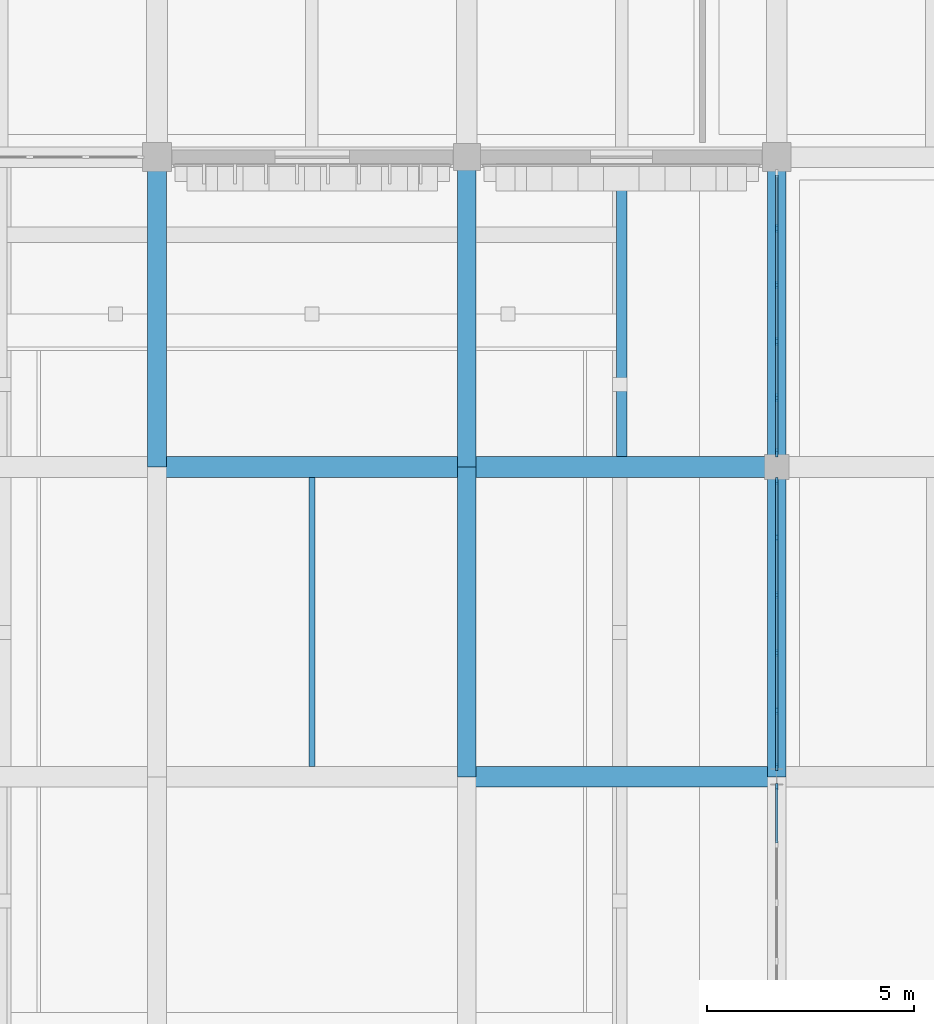
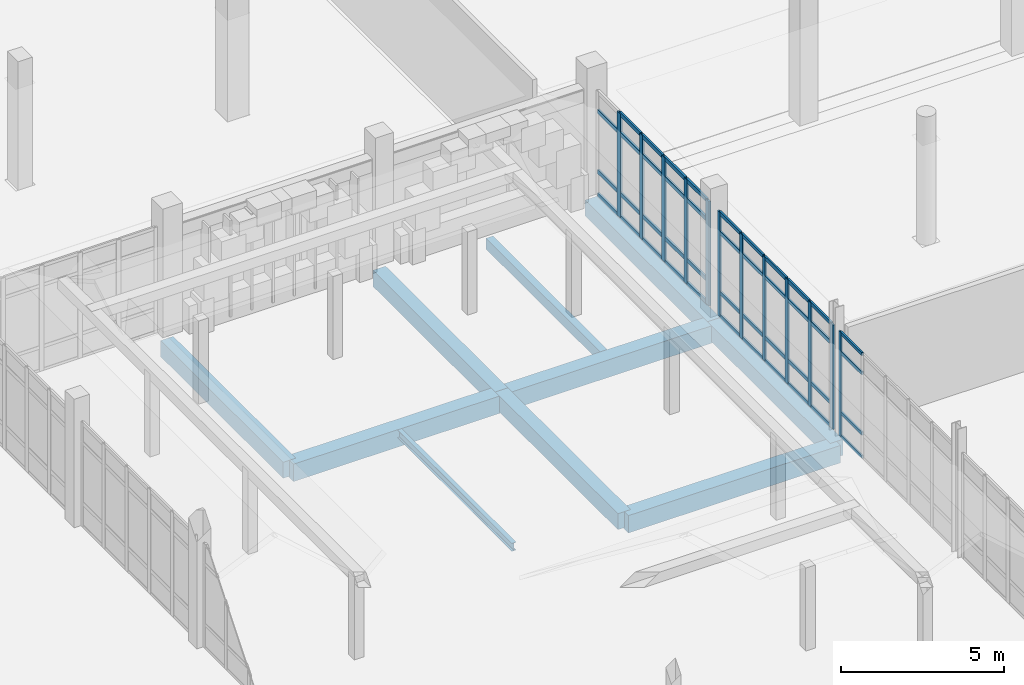
# One storey, part 42 of 125: 55 members, 10 beams, 3 elements without a shape of their own.
"""IFC4 building model written with IfcOpenShell, lengths in metres."""

from ifc_helpers import new_model, si_unit, direction, frame, origin, origin_2d, place, context, subcontext, project, spatial, rectangle, i_section, extrude, material, layer, layer_set, material_profile, profile_set, type_object, element, aggregate, save


model = new_model("IFC4")

# Units and contexts
model_context = context("Model", 3, precision=1e-05, world=origin(), true_north=direction((0.0, 1.0)))
body_context = subcontext(model_context, "Body", "Model", "MODEL_VIEW")
ifc_project = project(units=[si_unit("LENGTHUNIT", "METRE"), si_unit("AREAUNIT", "SQUARE_METRE"), si_unit("VOLUMEUNIT", "CUBIC_METRE"), si_unit("PLANEANGLEUNIT", "RADIAN"), si_unit("MASSUNIT", "GRAM", prefix="KILO")], contexts=[model_context])

# Site, building, storey
site_placement = place(None, origin())
site = spatial("IfcSite", under=ifc_project, at=site_placement, CompositionType="ELEMENT")
building_placement = place(site_placement, origin())
building = spatial("IfcBuilding", under=site, at=building_placement, Name="Dalvernix Boulevard General Hospital", CompositionType="ELEMENT")
storey_placement = place(building_placement, origin())
storey = spatial("IfcBuildingStorey", under=building, at=storey_placement, Name="L00", CompositionType="ELEMENT", Elevation=0.0)

# Beams
ifc_material_1 = material(Name="Concrete C35/45", Category="concrete")
ifc_material_profile_1 = material_profile(ifc_material_1, rectangle(XDim=0.5, YDim=0.64990234375, at=origin_2d()), Name="RCB 500x650")
ifc_profile_set_1 = profile_set([ifc_material_profile_1], Name="Concrete C35/45")
beam_type_1 = type_object("IfcBeamType", Name="BM-B-02-I", PredefinedType="BEAM", material=ifc_profile_set_1)
for number, where, z_axis, x_axis, name in (
    (1, (52.5, 61.5, -0.68505859375), (1.0, 0.0, 0.0), (0.0, 1.0, 0.0), "L00 E-W girder J:8-9"),
    (2, (45.0, 69.0, -0.68505859375), (1.0, 0.0, 0.0), (0.0, 1.0, 0.0), "L00 E-W girder K:7-8"),
    (3, (52.5, 69.0, -0.68505859375), (1.0, 0.0, 0.0), (0.0, 1.0, 0.0), "L00 E-W girder K:8-9"),
):
    element("IfcBeam", number, at=place(storey_placement, frame(where, z_axis=z_axis, x_axis=x_axis)), inside=storey, type_object=beam_type_1, Name=name, PredefinedType="BEAM", context=body_context, shape_type="SweptSolid", body=[
        extrude(rectangle(XDim=0.5, YDim=0.64990234375, at=origin_2d()), origin(), (0.0, 0.0, 1.0), 7.5),
    ])
ifc_material_profile_2 = material_profile(ifc_material_1, rectangle(XDim=0.449951171875, YDim=0.60009765625, at=origin_2d()), Name="RCB 450x600")
ifc_profile_set_2 = profile_set([ifc_material_profile_2], Name="Concrete C35/45")
beam_type_2 = type_object("IfcBeamType", Name="BM-B-04-I", PredefinedType="BEAM", material=ifc_profile_set_2)
for number, where, z_axis, x_axis, name in (
    (4, (45.0, 69.0, -0.659912109375), (0.0, 1.0, 0.0), (-1.0, 0.0, 0.0), "L00 N-S girder 7:K-L"),
    (5, (52.5, 61.5, -0.659912109375), (0.0, 1.0, 0.0), (-1.0, 0.0, 0.0), "L00 N-S girder 8:J-K"),
    (6, (52.5, 69.0, -0.659912109375), (0.0, 1.0, 0.0), (-1.0, 0.0, 0.0), "L00 N-S girder 8:K-L"),
    (7, (60.0, 61.5, -0.659912109375), (0.0, 1.0, 0.0), (-1.0, 0.0, 0.0), "L00 N-S girder 9:J-K"),
    (8, (60.0, 69.0, -0.659912109375), (0.0, 1.0, 0.0), (-1.0, 0.0, 0.0), "L00 N-S girder 9:K-L"),
):
    element("IfcBeam", number, at=place(storey_placement, frame(where, z_axis=z_axis, x_axis=x_axis)), inside=storey, type_object=beam_type_2, Name=name, PredefinedType="BEAM", context=body_context, shape_type="SweptSolid", body=[
        extrude(rectangle(XDim=0.449951171875, YDim=0.60009765625, at=origin_2d()), origin(), (0.0, 0.0, 1.0), 7.5),
    ])
ifc_material_profile_3 = material_profile(ifc_material_1, rectangle(XDim=0.25, YDim=0.39990234375, at=origin_2d()), Name="RCB 250x400")
ifc_profile_set_3 = profile_set([ifc_material_profile_3], Name="Concrete C35/45")
beam_type_3 = type_object("IfcBeamType", Name="BM-JB-02", PredefinedType="JOIST", material=ifc_profile_set_3)
beam_1_placement = place(storey_placement, frame((56.25, 69.25, -0.56005859375), z_axis=(0.0, 1.0, 0.0), x_axis=(-1.0, 0.0, 0.0)))
element("IfcBeam", 9, at=beam_1_placement, inside=storey, type_object=beam_type_3, Name="L00 secondary floor beam 8-K", PredefinedType="JOIST", context=body_context, shape_type="SweptSolid", body=[
    extrude(rectangle(XDim=0.25, YDim=0.39990234375, at=origin_2d()), origin(), (0.0, 0.0, 1.0), 7.0),
])
ifc_material_2 = material(Name="Steel S355", Category="steel")
ifc_material_profile_4 = material_profile(ifc_material_2, i_section(OverallWidth=0.14990234375, OverallDepth=0.300048828125, WebThickness=0.007080078125, FlangeThickness=0.0107421875, FilletRadius=0.014892578125, at=origin_2d()), Name="IPE 300")
ifc_profile_set_4 = profile_set([ifc_material_profile_4], Name="Steel S355")
beam_type_4 = type_object("IfcBeamType", Name="BM-JB-03", PredefinedType="JOIST", material=ifc_profile_set_4)
beam_2_placement = place(storey_placement, frame((48.75, 61.75, -0.510009765625), z_axis=(0.0, 1.0, 0.0), x_axis=(-1.0, 0.0, 0.0)))
element("IfcBeam", 10, at=beam_2_placement, inside=storey, type_object=beam_type_4, Name="L00 secondary floor beam 7-J", PredefinedType="JOIST", context=body_context, shape_type="SweptSolid", body=[
    extrude(i_section(OverallWidth=0.14990234375, OverallDepth=0.300048828125, WebThickness=0.007080078125, FlangeThickness=0.0107421875, FilletRadius=0.014892578125, at=origin_2d()), origin(), (0.0, 0.0, 1.0), 7.0),
])

# Curtain wall, member
ifc_material_3 = material(Name="Thermally broken aluminium and solar-control glass curtain wall", Category="aluminium")
ifc_layer_1 = layer(ifc_material_3, 0.159912109375)
ifc_layer_set_1 = layer_set([ifc_layer_1], Name="Thermally broken aluminium and solar-control glass curtain wall (CW-CW-A-71x39)")
curtain_wall_type_1 = type_object("IfcCurtainWallType", Name="CW-CW-A-71x39", PredefinedType="USERDEFINED", material=ifc_layer_set_1)
curtain_wall_1_placement = place(storey_placement, origin())
curtain_wall_1 = element("IfcCurtainWall", 11, at=curtain_wall_1_placement, inside=storey, type_object=curtain_wall_type_1, Name="L00 curtain wall CW-A-71x39 8-7", ObjectType="GLAZED FACADE", PredefinedType="USERDEFINED")
ifc_material_4 = material(Name="Aluminium EN AW-6060", Category="aluminium")
ifc_material_profile_5 = material_profile(ifc_material_4, rectangle(XDim=0.06005859375, YDim=0.159912109375, at=origin_2d()), Name="ALU MULL 60x160")
ifc_profile_set_5 = profile_set([ifc_material_profile_5], Name="Aluminium EN AW-6060")
member_type_1 = type_object("IfcMemberType", Name="MEM-CW-M1", PredefinedType="MULLION", material=ifc_profile_set_5)
member_1_placement = place(storey_placement, frame((60.0, 61.260009765625, 0.0), z_axis=(0.0, 0.0, 1.0), x_axis=(-1.0, 0.0, 0.0)))
member_1 = element("IfcMember", 12, at=member_1_placement, type_object=member_type_1, Name="CW-A-71x39 mullion 6", PredefinedType="MULLION", context=body_context, shape_type="SweptSolid", body=[
    extrude(rectangle(XDim=0.06005859375, YDim=0.159912109375, at=origin_2d()), origin(), (0.0, 0.0, 1.0), 3.89990234375),
])

# Curtain wall, members
ifc_layer_2 = layer(ifc_material_3, 0.179931640625)
ifc_layer_set_2 = layer_set([ifc_layer_2], Name="Thermally broken aluminium and solar-control glass curtain wall (CW-CW-B-70x39)")
curtain_wall_type_2 = type_object("IfcCurtainWallType", Name="CW-CW-B-70x39", PredefinedType="USERDEFINED", material=ifc_layer_set_2)
curtain_wall_2_placement = place(storey_placement, origin())
curtain_wall_2 = element("IfcCurtainWall", 13, at=curtain_wall_2_placement, inside=storey, type_object=curtain_wall_type_2, Name="L00 curtain wall CW-B-70x39 8-8", ObjectType="GLAZED FACADE", PredefinedType="USERDEFINED")
ifc_material_profile_6 = material_profile(ifc_material_4, rectangle(XDim=0.06494140625, YDim=0.179931640625, at=origin_2d()), Name="ALU MULL 65x180")
ifc_profile_set_6 = profile_set([ifc_material_profile_6], Name="Aluminium EN AW-6060")
member_type_2 = type_object("IfcMemberType", Name="MEM-CW-M2", PredefinedType="MULLION", material=ifc_profile_set_6)
member_2_placement = place(storey_placement, frame((60.0, 61.742431640625, 0.0), z_axis=(0.0, 0.0, 1.0), x_axis=(-1.0, 0.0, 0.0)))
member_2 = element("IfcMember", 14, at=member_2_placement, type_object=member_type_2, Name="CW-B-70x39 mullion 1", PredefinedType="MULLION", context=body_context, shape_type="SweptSolid", body=[
    extrude(rectangle(XDim=0.06494140625, YDim=0.179931640625, at=origin_2d()), origin(), (0.0, 0.0, 1.0), 3.89990234375),
])
member_3_placement = place(storey_placement, frame((60.0, 63.10595703125, 0.0), z_axis=(0.0, 0.0, 1.0), x_axis=(-1.0, 0.0, 0.0)))
member_3 = element("IfcMember", 15, at=member_3_placement, type_object=member_type_2, Name="CW-B-70x39 mullion 2", PredefinedType="MULLION", context=body_context, shape_type="SweptSolid", body=[
    extrude(rectangle(XDim=0.06494140625, YDim=0.179931640625, at=origin_2d()), origin(), (0.0, 0.0, 1.0), 3.89990234375),
])
member_4_placement = place(storey_placement, frame((60.0, 64.501953125, 0.0), z_axis=(0.0, 0.0, 1.0), x_axis=(-1.0, 0.0, 0.0)))
member_4 = element("IfcMember", 16, at=member_4_placement, type_object=member_type_2, Name="CW-B-70x39 mullion 3", PredefinedType="MULLION", context=body_context, shape_type="SweptSolid", body=[
    extrude(rectangle(XDim=0.06494140625, YDim=0.179931640625, at=origin_2d()), origin(), (0.0, 0.0, 1.0), 3.89990234375),
])
member_5_placement = place(storey_placement, frame((60.0, 65.89794921875, 0.0), z_axis=(0.0, 0.0, 1.0), x_axis=(-1.0, 0.0, 0.0)))
member_5 = element("IfcMember", 17, at=member_5_placement, type_object=member_type_2, Name="CW-B-70x39 mullion 4", PredefinedType="MULLION", context=body_context, shape_type="SweptSolid", body=[
    extrude(rectangle(XDim=0.06494140625, YDim=0.179931640625, at=origin_2d()), origin(), (0.0, 0.0, 1.0), 3.89990234375),
])
member_6_placement = place(storey_placement, frame((60.0, 67.2939453125, 0.0), z_axis=(0.0, 0.0, 1.0), x_axis=(-1.0, 0.0, 0.0)))
member_6 = element("IfcMember", 18, at=member_6_placement, type_object=member_type_2, Name="CW-B-70x39 mullion 5", PredefinedType="MULLION", context=body_context, shape_type="SweptSolid", body=[
    extrude(rectangle(XDim=0.06494140625, YDim=0.179931640625, at=origin_2d()), origin(), (0.0, 0.0, 1.0), 3.89990234375),
])
member_7_placement = place(storey_placement, frame((60.0, 68.657470703125, 0.0), z_axis=(0.0, 0.0, 1.0), x_axis=(-1.0, 0.0, 0.0)))
member_7 = element("IfcMember", 19, at=member_7_placement, type_object=member_type_2, Name="CW-B-70x39 mullion 6", PredefinedType="MULLION", context=body_context, shape_type="SweptSolid", body=[
    extrude(rectangle(XDim=0.06494140625, YDim=0.179931640625, at=origin_2d()), origin(), (0.0, 0.0, 1.0), 3.89990234375),
])

ifc_layer_3 = layer(ifc_material_3, 0.199951171875)
ifc_layer_set_3 = layer_set([ifc_layer_3], Name="Thermally broken aluminium and solar-control glass curtain wall (CW-CW-C-68x39)")
curtain_wall_type_3 = type_object("IfcCurtainWallType", Name="CW-CW-C-68x39", PredefinedType="USERDEFINED", material=ifc_layer_set_3)
curtain_wall_3_placement = place(storey_placement, origin())
curtain_wall_3 = element("IfcCurtainWall", 20, at=curtain_wall_3_placement, inside=storey, type_object=curtain_wall_type_3, Name="L00 curtain wall CW-C-68x39 8-9", ObjectType="GLAZED FACADE", PredefinedType="USERDEFINED")
ifc_material_profile_7 = material_profile(ifc_material_4, rectangle(XDim=0.070068359375, YDim=0.199951171875, at=origin_2d()), Name="ALU MULL 70x200")
ifc_profile_set_7 = profile_set([ifc_material_profile_7], Name="Aluminium EN AW-6060")
member_type_3 = type_object("IfcMemberType", Name="MEM-CW-M3", PredefinedType="MULLION", material=ifc_profile_set_7)
member_8_placement = place(storey_placement, frame((60.0, 69.344970703125, 0.0), z_axis=(0.0, 0.0, 1.0), x_axis=(-1.0, 0.0, 0.0)))
member_8 = element("IfcMember", 21, at=member_8_placement, type_object=member_type_3, Name="CW-C-68x39 mullion 1", PredefinedType="MULLION", context=body_context, shape_type="SweptSolid", body=[
    extrude(rectangle(XDim=0.070068359375, YDim=0.199951171875, at=origin_2d()), origin(), (0.0, 0.0, 1.0), 3.89990234375),
])
member_9_placement = place(storey_placement, frame((60.0, 70.676025390625, 0.0), z_axis=(0.0, 0.0, 1.0), x_axis=(-1.0, 0.0, 0.0)))
member_9 = element("IfcMember", 22, at=member_9_placement, type_object=member_type_3, Name="CW-C-68x39 mullion 2", PredefinedType="MULLION", context=body_context, shape_type="SweptSolid", body=[
    extrude(rectangle(XDim=0.070068359375, YDim=0.199951171875, at=origin_2d()), origin(), (0.0, 0.0, 1.0), 3.89990234375),
])
member_10_placement = place(storey_placement, frame((60.0, 72.0419921875, 0.0), z_axis=(0.0, 0.0, 1.0), x_axis=(-1.0, 0.0, 0.0)))
member_10 = element("IfcMember", 23, at=member_10_placement, type_object=member_type_3, Name="CW-C-68x39 mullion 3", PredefinedType="MULLION", context=body_context, shape_type="SweptSolid", body=[
    extrude(rectangle(XDim=0.070068359375, YDim=0.199951171875, at=origin_2d()), origin(), (0.0, 0.0, 1.0), 3.89990234375),
])
member_11_placement = place(storey_placement, frame((60.0, 73.407958984375, 0.0), z_axis=(0.0, 0.0, 1.0), x_axis=(-1.0, 0.0, 0.0)))
member_11 = element("IfcMember", 24, at=member_11_placement, type_object=member_type_3, Name="CW-C-68x39 mullion 4", PredefinedType="MULLION", context=body_context, shape_type="SweptSolid", body=[
    extrude(rectangle(XDim=0.070068359375, YDim=0.199951171875, at=origin_2d()), origin(), (0.0, 0.0, 1.0), 3.89990234375),
])
member_12_placement = place(storey_placement, frame((60.0, 74.77392578125, 0.0), z_axis=(0.0, 0.0, 1.0), x_axis=(-1.0, 0.0, 0.0)))
member_12 = element("IfcMember", 25, at=member_12_placement, type_object=member_type_3, Name="CW-C-68x39 mullion 5", PredefinedType="MULLION", context=body_context, shape_type="SweptSolid", body=[
    extrude(rectangle(XDim=0.070068359375, YDim=0.199951171875, at=origin_2d()), origin(), (0.0, 0.0, 1.0), 3.89990234375),
])

# Member
ifc_material_profile_8 = material_profile(ifc_material_4, rectangle(XDim=0.06005859375, YDim=0.1201171875, at=origin_2d()), Name="ALU TRAN 60x120")
ifc_profile_set_8 = profile_set([ifc_material_profile_8], Name="Aluminium EN AW-6060")
member_type_4 = type_object("IfcMemberType", Name="MEM-CW-T1", PredefinedType="USERDEFINED", material=ifc_profile_set_8)
member_13_placement = place(storey_placement, frame((60.0, 59.904052734375, 0.030029296875), z_axis=(0.0, 1.0, 0.0), x_axis=(-1.0, 0.0, 0.0)))
member_13 = element("IfcMember", 26, at=member_13_placement, type_object=member_type_4, Name="CW-A-71x39 transom 5.1", ObjectType="TRANSOM", PredefinedType="USERDEFINED", context=body_context, shape_type="SweptSolid", body=[
    extrude(rectangle(XDim=0.06005859375, YDim=0.1201171875, at=origin_2d()), origin(), (0.0, 0.0, 1.0), 1.325927734375),
])

member_14_placement = place(storey_placement, frame((60.0, 59.904052734375, 0.89990234375), z_axis=(0.0, 1.0, 0.0), x_axis=(-1.0, 0.0, 0.0)))
member_14 = element("IfcMember", 27, at=member_14_placement, type_object=member_type_4, Name="CW-A-71x39 transom 5.2", ObjectType="TRANSOM", PredefinedType="USERDEFINED", context=body_context, shape_type="SweptSolid", body=[
    extrude(rectangle(XDim=0.06005859375, YDim=0.1201171875, at=origin_2d()), origin(), (0.0, 0.0, 1.0), 1.325927734375),
])

member_15_placement = place(storey_placement, frame((60.0, 59.904052734375, 3.14990234375), z_axis=(0.0, 1.0, 0.0), x_axis=(-1.0, 0.0, 0.0)))
member_15 = element("IfcMember", 28, at=member_15_placement, type_object=member_type_4, Name="CW-A-71x39 transom 5.3", ObjectType="TRANSOM", PredefinedType="USERDEFINED", context=body_context, shape_type="SweptSolid", body=[
    extrude(rectangle(XDim=0.06005859375, YDim=0.1201171875, at=origin_2d()), origin(), (0.0, 0.0, 1.0), 1.325927734375),
])

member_16_placement = place(storey_placement, frame((60.0, 59.904052734375, 3.8701171875), z_axis=(0.0, 1.0, 0.0), x_axis=(-1.0, 0.0, 0.0)))
member_16 = element("IfcMember", 29, at=member_16_placement, type_object=member_type_4, Name="CW-A-71x39 transom 5.4", ObjectType="TRANSOM", PredefinedType="USERDEFINED", context=body_context, shape_type="SweptSolid", body=[
    extrude(rectangle(XDim=0.06005859375, YDim=0.1201171875, at=origin_2d()), origin(), (0.0, 0.0, 1.0), 1.325927734375),
])

aggregate(curtain_wall_1, [member_1, member_13, member_14, member_15, member_16])

ifc_material_profile_9 = material_profile(ifc_material_4, rectangle(XDim=0.06494140625, YDim=0.139892578125, at=origin_2d()), Name="ALU TRAN 65x140")
ifc_profile_set_9 = profile_set([ifc_material_profile_9], Name="Aluminium EN AW-6060")
member_type_5 = type_object("IfcMemberType", Name="MEM-CW-T2", PredefinedType="USERDEFINED", material=ifc_profile_set_9)
member_17_placement = place(storey_placement, frame((60.0, 61.77490234375, 0.032470703125), z_axis=(0.0, 1.0, 0.0), x_axis=(-1.0, 0.0, 0.0)))
member_17 = element("IfcMember", 30, at=member_17_placement, type_object=member_type_5, Name="CW-B-70x39 transom 1.1", ObjectType="TRANSOM", PredefinedType="USERDEFINED", context=body_context, shape_type="SweptSolid", body=[
    extrude(rectangle(XDim=0.06494140625, YDim=0.139892578125, at=origin_2d()), origin(), (0.0, 0.0, 1.0), 1.298583984375),
])

member_18_placement = place(storey_placement, frame((60.0, 61.77490234375, 0.89990234375), z_axis=(0.0, 1.0, 0.0), x_axis=(-1.0, 0.0, 0.0)))
member_18 = element("IfcMember", 31, at=member_18_placement, type_object=member_type_5, Name="CW-B-70x39 transom 1.2", ObjectType="TRANSOM", PredefinedType="USERDEFINED", context=body_context, shape_type="SweptSolid", body=[
    extrude(rectangle(XDim=0.06494140625, YDim=0.139892578125, at=origin_2d()), origin(), (0.0, 0.0, 1.0), 1.298583984375),
])

member_19_placement = place(storey_placement, frame((60.0, 61.77490234375, 3.14990234375), z_axis=(0.0, 1.0, 0.0), x_axis=(-1.0, 0.0, 0.0)))
member_19 = element("IfcMember", 32, at=member_19_placement, type_object=member_type_5, Name="CW-B-70x39 transom 1.3", ObjectType="TRANSOM", PredefinedType="USERDEFINED", context=body_context, shape_type="SweptSolid", body=[
    extrude(rectangle(XDim=0.06494140625, YDim=0.139892578125, at=origin_2d()), origin(), (0.0, 0.0, 1.0), 1.298583984375),
])

member_20_placement = place(storey_placement, frame((60.0, 61.77490234375, 3.867431640625), z_axis=(0.0, 1.0, 0.0), x_axis=(-1.0, 0.0, 0.0)))
member_20 = element("IfcMember", 33, at=member_20_placement, type_object=member_type_5, Name="CW-B-70x39 transom 1.4", ObjectType="TRANSOM", PredefinedType="USERDEFINED", context=body_context, shape_type="SweptSolid", body=[
    extrude(rectangle(XDim=0.06494140625, YDim=0.139892578125, at=origin_2d()), origin(), (0.0, 0.0, 1.0), 1.298583984375),
])

member_21_placement = place(storey_placement, frame((60.0, 63.138427734375, 0.032470703125), z_axis=(0.0, 1.0, 0.0), x_axis=(-1.0, 0.0, 0.0)))
member_21 = element("IfcMember", 34, at=member_21_placement, type_object=member_type_5, Name="CW-B-70x39 transom 2.1", ObjectType="TRANSOM", PredefinedType="USERDEFINED", context=body_context, shape_type="SweptSolid", body=[
    extrude(rectangle(XDim=0.06494140625, YDim=0.139892578125, at=origin_2d()), origin(), (0.0, 0.0, 1.0), 1.3310546875),
])

member_22_placement = place(storey_placement, frame((60.0, 63.138427734375, 0.89990234375), z_axis=(0.0, 1.0, 0.0), x_axis=(-1.0, 0.0, 0.0)))
member_22 = element("IfcMember", 35, at=member_22_placement, type_object=member_type_5, Name="CW-B-70x39 transom 2.2", ObjectType="TRANSOM", PredefinedType="USERDEFINED", context=body_context, shape_type="SweptSolid", body=[
    extrude(rectangle(XDim=0.06494140625, YDim=0.139892578125, at=origin_2d()), origin(), (0.0, 0.0, 1.0), 1.3310546875),
])

member_23_placement = place(storey_placement, frame((60.0, 63.138427734375, 3.14990234375), z_axis=(0.0, 1.0, 0.0), x_axis=(-1.0, 0.0, 0.0)))
member_23 = element("IfcMember", 36, at=member_23_placement, type_object=member_type_5, Name="CW-B-70x39 transom 2.3", ObjectType="TRANSOM", PredefinedType="USERDEFINED", context=body_context, shape_type="SweptSolid", body=[
    extrude(rectangle(XDim=0.06494140625, YDim=0.139892578125, at=origin_2d()), origin(), (0.0, 0.0, 1.0), 1.3310546875),
])

member_24_placement = place(storey_placement, frame((60.0, 63.138427734375, 3.867431640625), z_axis=(0.0, 1.0, 0.0), x_axis=(-1.0, 0.0, 0.0)))
member_24 = element("IfcMember", 37, at=member_24_placement, type_object=member_type_5, Name="CW-B-70x39 transom 2.4", ObjectType="TRANSOM", PredefinedType="USERDEFINED", context=body_context, shape_type="SweptSolid", body=[
    extrude(rectangle(XDim=0.06494140625, YDim=0.139892578125, at=origin_2d()), origin(), (0.0, 0.0, 1.0), 1.3310546875),
])

member_25_placement = place(storey_placement, frame((60.0, 64.534423828125, 0.032470703125), z_axis=(0.0, 1.0, 0.0), x_axis=(-1.0, 0.0, 0.0)))
member_25 = element("IfcMember", 38, at=member_25_placement, type_object=member_type_5, Name="CW-B-70x39 transom 3.1", ObjectType="TRANSOM", PredefinedType="USERDEFINED", context=body_context, shape_type="SweptSolid", body=[
    extrude(rectangle(XDim=0.06494140625, YDim=0.139892578125, at=origin_2d()), origin(), (0.0, 0.0, 1.0), 1.3310546875),
])

member_26_placement = place(storey_placement, frame((60.0, 64.534423828125, 0.89990234375), z_axis=(0.0, 1.0, 0.0), x_axis=(-1.0, 0.0, 0.0)))
member_26 = element("IfcMember", 39, at=member_26_placement, type_object=member_type_5, Name="CW-B-70x39 transom 3.2", ObjectType="TRANSOM", PredefinedType="USERDEFINED", context=body_context, shape_type="SweptSolid", body=[
    extrude(rectangle(XDim=0.06494140625, YDim=0.139892578125, at=origin_2d()), origin(), (0.0, 0.0, 1.0), 1.3310546875),
])

member_27_placement = place(storey_placement, frame((60.0, 64.534423828125, 3.14990234375), z_axis=(0.0, 1.0, 0.0), x_axis=(-1.0, 0.0, 0.0)))
member_27 = element("IfcMember", 40, at=member_27_placement, type_object=member_type_5, Name="CW-B-70x39 transom 3.3", ObjectType="TRANSOM", PredefinedType="USERDEFINED", context=body_context, shape_type="SweptSolid", body=[
    extrude(rectangle(XDim=0.06494140625, YDim=0.139892578125, at=origin_2d()), origin(), (0.0, 0.0, 1.0), 1.3310546875),
])

member_28_placement = place(storey_placement, frame((60.0, 64.534423828125, 3.867431640625), z_axis=(0.0, 1.0, 0.0), x_axis=(-1.0, 0.0, 0.0)))
member_28 = element("IfcMember", 41, at=member_28_placement, type_object=member_type_5, Name="CW-B-70x39 transom 3.4", ObjectType="TRANSOM", PredefinedType="USERDEFINED", context=body_context, shape_type="SweptSolid", body=[
    extrude(rectangle(XDim=0.06494140625, YDim=0.139892578125, at=origin_2d()), origin(), (0.0, 0.0, 1.0), 1.3310546875),
])

member_29_placement = place(storey_placement, frame((60.0, 65.930419921875, 0.032470703125), z_axis=(0.0, 1.0, 0.0), x_axis=(-1.0, 0.0, 0.0)))
member_29 = element("IfcMember", 42, at=member_29_placement, type_object=member_type_5, Name="CW-B-70x39 transom 4.1", ObjectType="TRANSOM", PredefinedType="USERDEFINED", context=body_context, shape_type="SweptSolid", body=[
    extrude(rectangle(XDim=0.06494140625, YDim=0.139892578125, at=origin_2d()), origin(), (0.0, 0.0, 1.0), 1.3310546875),
])

member_30_placement = place(storey_placement, frame((60.0, 65.930419921875, 0.89990234375), z_axis=(0.0, 1.0, 0.0), x_axis=(-1.0, 0.0, 0.0)))
member_30 = element("IfcMember", 43, at=member_30_placement, type_object=member_type_5, Name="CW-B-70x39 transom 4.2", ObjectType="TRANSOM", PredefinedType="USERDEFINED", context=body_context, shape_type="SweptSolid", body=[
    extrude(rectangle(XDim=0.06494140625, YDim=0.139892578125, at=origin_2d()), origin(), (0.0, 0.0, 1.0), 1.3310546875),
])

member_31_placement = place(storey_placement, frame((60.0, 65.930419921875, 3.14990234375), z_axis=(0.0, 1.0, 0.0), x_axis=(-1.0, 0.0, 0.0)))
member_31 = element("IfcMember", 44, at=member_31_placement, type_object=member_type_5, Name="CW-B-70x39 transom 4.3", ObjectType="TRANSOM", PredefinedType="USERDEFINED", context=body_context, shape_type="SweptSolid", body=[
    extrude(rectangle(XDim=0.06494140625, YDim=0.139892578125, at=origin_2d()), origin(), (0.0, 0.0, 1.0), 1.3310546875),
])

member_32_placement = place(storey_placement, frame((60.0, 65.930419921875, 3.867431640625), z_axis=(0.0, 1.0, 0.0), x_axis=(-1.0, 0.0, 0.0)))
member_32 = element("IfcMember", 45, at=member_32_placement, type_object=member_type_5, Name="CW-B-70x39 transom 4.4", ObjectType="TRANSOM", PredefinedType="USERDEFINED", context=body_context, shape_type="SweptSolid", body=[
    extrude(rectangle(XDim=0.06494140625, YDim=0.139892578125, at=origin_2d()), origin(), (0.0, 0.0, 1.0), 1.3310546875),
])

member_33_placement = place(storey_placement, frame((60.0, 67.326416015625, 0.032470703125), z_axis=(0.0, 1.0, 0.0), x_axis=(-1.0, 0.0, 0.0)))
member_33 = element("IfcMember", 46, at=member_33_placement, type_object=member_type_5, Name="CW-B-70x39 transom 5.1", ObjectType="TRANSOM", PredefinedType="USERDEFINED", context=body_context, shape_type="SweptSolid", body=[
    extrude(rectangle(XDim=0.06494140625, YDim=0.139892578125, at=origin_2d()), origin(), (0.0, 0.0, 1.0), 1.298583984375),
])

member_34_placement = place(storey_placement, frame((60.0, 67.326416015625, 0.89990234375), z_axis=(0.0, 1.0, 0.0), x_axis=(-1.0, 0.0, 0.0)))
member_34 = element("IfcMember", 47, at=member_34_placement, type_object=member_type_5, Name="CW-B-70x39 transom 5.2", ObjectType="TRANSOM", PredefinedType="USERDEFINED", context=body_context, shape_type="SweptSolid", body=[
    extrude(rectangle(XDim=0.06494140625, YDim=0.139892578125, at=origin_2d()), origin(), (0.0, 0.0, 1.0), 1.298583984375),
])

member_35_placement = place(storey_placement, frame((60.0, 67.326416015625, 3.14990234375), z_axis=(0.0, 1.0, 0.0), x_axis=(-1.0, 0.0, 0.0)))
member_35 = element("IfcMember", 48, at=member_35_placement, type_object=member_type_5, Name="CW-B-70x39 transom 5.3", ObjectType="TRANSOM", PredefinedType="USERDEFINED", context=body_context, shape_type="SweptSolid", body=[
    extrude(rectangle(XDim=0.06494140625, YDim=0.139892578125, at=origin_2d()), origin(), (0.0, 0.0, 1.0), 1.298583984375),
])

member_36_placement = place(storey_placement, frame((60.0, 67.326416015625, 3.867431640625), z_axis=(0.0, 1.0, 0.0), x_axis=(-1.0, 0.0, 0.0)))
member_36 = element("IfcMember", 49, at=member_36_placement, type_object=member_type_5, Name="CW-B-70x39 transom 5.4", ObjectType="TRANSOM", PredefinedType="USERDEFINED", context=body_context, shape_type="SweptSolid", body=[
    extrude(rectangle(XDim=0.06494140625, YDim=0.139892578125, at=origin_2d()), origin(), (0.0, 0.0, 1.0), 1.298583984375),
])

aggregate(curtain_wall_2, [member_2, member_3, member_4, member_5, member_6, member_7, member_17, member_18, member_19, member_20, member_21, member_22, member_23, member_24, member_25, member_26, member_27, member_28, member_29, member_30, member_31, member_32, member_33, member_34, member_35, member_36])

ifc_material_profile_10 = material_profile(ifc_material_4, rectangle(XDim=0.070068359375, YDim=0.14990234375, at=origin_2d()), Name="ALU TRAN 70x150")
ifc_profile_set_10 = profile_set([ifc_material_profile_10], Name="Aluminium EN AW-6060")
member_type_6 = type_object("IfcMemberType", Name="MEM-CW-T3", PredefinedType="USERDEFINED", material=ifc_profile_set_10)
member_37_placement = place(storey_placement, frame((60.0, 69.3798828125, 0.034912109375), z_axis=(0.0, 1.0, 0.0), x_axis=(-1.0, 0.0, 0.0)))
member_37 = element("IfcMember", 50, at=member_37_placement, type_object=member_type_6, Name="CW-C-68x39 transom 1.1", ObjectType="TRANSOM", PredefinedType="USERDEFINED", context=body_context, shape_type="SweptSolid", body=[
    extrude(rectangle(XDim=0.070068359375, YDim=0.14990234375, at=origin_2d()), origin(), (0.0, 0.0, 1.0), 1.26123046875),
])

member_38_placement = place(storey_placement, frame((60.0, 69.3798828125, 0.89990234375), z_axis=(0.0, 1.0, 0.0), x_axis=(-1.0, 0.0, 0.0)))
member_38 = element("IfcMember", 51, at=member_38_placement, type_object=member_type_6, Name="CW-C-68x39 transom 1.2", ObjectType="TRANSOM", PredefinedType="USERDEFINED", context=body_context, shape_type="SweptSolid", body=[
    extrude(rectangle(XDim=0.070068359375, YDim=0.14990234375, at=origin_2d()), origin(), (0.0, 0.0, 1.0), 1.26123046875),
])

member_39_placement = place(storey_placement, frame((60.0, 69.3798828125, 3.14990234375), z_axis=(0.0, 1.0, 0.0), x_axis=(-1.0, 0.0, 0.0)))
member_39 = element("IfcMember", 52, at=member_39_placement, type_object=member_type_6, Name="CW-C-68x39 transom 1.3", ObjectType="TRANSOM", PredefinedType="USERDEFINED", context=body_context, shape_type="SweptSolid", body=[
    extrude(rectangle(XDim=0.070068359375, YDim=0.14990234375, at=origin_2d()), origin(), (0.0, 0.0, 1.0), 1.26123046875),
])

member_40_placement = place(storey_placement, frame((60.0, 69.3798828125, 3.864990234375), z_axis=(0.0, 1.0, 0.0), x_axis=(-1.0, 0.0, 0.0)))
member_40 = element("IfcMember", 53, at=member_40_placement, type_object=member_type_6, Name="CW-C-68x39 transom 1.4", ObjectType="TRANSOM", PredefinedType="USERDEFINED", context=body_context, shape_type="SweptSolid", body=[
    extrude(rectangle(XDim=0.070068359375, YDim=0.14990234375, at=origin_2d()), origin(), (0.0, 0.0, 1.0), 1.26123046875),
])

member_41_placement = place(storey_placement, frame((60.0, 70.7109375, 0.034912109375), z_axis=(0.0, 1.0, 0.0), x_axis=(-1.0, 0.0, 0.0)))
member_41 = element("IfcMember", 54, at=member_41_placement, type_object=member_type_6, Name="CW-C-68x39 transom 2.1", ObjectType="TRANSOM", PredefinedType="USERDEFINED", context=body_context, shape_type="SweptSolid", body=[
    extrude(rectangle(XDim=0.070068359375, YDim=0.14990234375, at=origin_2d()), origin(), (0.0, 0.0, 1.0), 1.296142578125),
])

member_42_placement = place(storey_placement, frame((60.0, 70.7109375, 0.89990234375), z_axis=(0.0, 1.0, 0.0), x_axis=(-1.0, 0.0, 0.0)))
member_42 = element("IfcMember", 55, at=member_42_placement, type_object=member_type_6, Name="CW-C-68x39 transom 2.2", ObjectType="TRANSOM", PredefinedType="USERDEFINED", context=body_context, shape_type="SweptSolid", body=[
    extrude(rectangle(XDim=0.070068359375, YDim=0.14990234375, at=origin_2d()), origin(), (0.0, 0.0, 1.0), 1.296142578125),
])

member_43_placement = place(storey_placement, frame((60.0, 70.7109375, 3.14990234375), z_axis=(0.0, 1.0, 0.0), x_axis=(-1.0, 0.0, 0.0)))
member_43 = element("IfcMember", 56, at=member_43_placement, type_object=member_type_6, Name="CW-C-68x39 transom 2.3", ObjectType="TRANSOM", PredefinedType="USERDEFINED", context=body_context, shape_type="SweptSolid", body=[
    extrude(rectangle(XDim=0.070068359375, YDim=0.14990234375, at=origin_2d()), origin(), (0.0, 0.0, 1.0), 1.296142578125),
])

member_44_placement = place(storey_placement, frame((60.0, 70.7109375, 3.864990234375), z_axis=(0.0, 1.0, 0.0), x_axis=(-1.0, 0.0, 0.0)))
member_44 = element("IfcMember", 57, at=member_44_placement, type_object=member_type_6, Name="CW-C-68x39 transom 2.4", ObjectType="TRANSOM", PredefinedType="USERDEFINED", context=body_context, shape_type="SweptSolid", body=[
    extrude(rectangle(XDim=0.070068359375, YDim=0.14990234375, at=origin_2d()), origin(), (0.0, 0.0, 1.0), 1.296142578125),
])

member_45_placement = place(storey_placement, frame((60.0, 72.076904296875, 0.034912109375), z_axis=(0.0, 1.0, 0.0), x_axis=(-1.0, 0.0, 0.0)))
member_45 = element("IfcMember", 58, at=member_45_placement, type_object=member_type_6, Name="CW-C-68x39 transom 3.1", ObjectType="TRANSOM", PredefinedType="USERDEFINED", context=body_context, shape_type="SweptSolid", body=[
    extrude(rectangle(XDim=0.070068359375, YDim=0.14990234375, at=origin_2d()), origin(), (0.0, 0.0, 1.0), 1.296142578125),
])

member_46_placement = place(storey_placement, frame((60.0, 72.076904296875, 0.89990234375), z_axis=(0.0, 1.0, 0.0), x_axis=(-1.0, 0.0, 0.0)))
member_46 = element("IfcMember", 59, at=member_46_placement, type_object=member_type_6, Name="CW-C-68x39 transom 3.2", ObjectType="TRANSOM", PredefinedType="USERDEFINED", context=body_context, shape_type="SweptSolid", body=[
    extrude(rectangle(XDim=0.070068359375, YDim=0.14990234375, at=origin_2d()), origin(), (0.0, 0.0, 1.0), 1.296142578125),
])

member_47_placement = place(storey_placement, frame((60.0, 72.076904296875, 3.14990234375), z_axis=(0.0, 1.0, 0.0), x_axis=(-1.0, 0.0, 0.0)))
member_47 = element("IfcMember", 60, at=member_47_placement, type_object=member_type_6, Name="CW-C-68x39 transom 3.3", ObjectType="TRANSOM", PredefinedType="USERDEFINED", context=body_context, shape_type="SweptSolid", body=[
    extrude(rectangle(XDim=0.070068359375, YDim=0.14990234375, at=origin_2d()), origin(), (0.0, 0.0, 1.0), 1.296142578125),
])

member_48_placement = place(storey_placement, frame((60.0, 72.076904296875, 3.864990234375), z_axis=(0.0, 1.0, 0.0), x_axis=(-1.0, 0.0, 0.0)))
member_48 = element("IfcMember", 61, at=member_48_placement, type_object=member_type_6, Name="CW-C-68x39 transom 3.4", ObjectType="TRANSOM", PredefinedType="USERDEFINED", context=body_context, shape_type="SweptSolid", body=[
    extrude(rectangle(XDim=0.070068359375, YDim=0.14990234375, at=origin_2d()), origin(), (0.0, 0.0, 1.0), 1.296142578125),
])

member_49_placement = place(storey_placement, frame((60.0, 73.443115234375, 0.034912109375), z_axis=(0.0, 1.0, 0.0), x_axis=(-1.0, 0.0, 0.0)))
member_49 = element("IfcMember", 62, at=member_49_placement, type_object=member_type_6, Name="CW-C-68x39 transom 4.1", ObjectType="TRANSOM", PredefinedType="USERDEFINED", context=body_context, shape_type="SweptSolid", body=[
    extrude(rectangle(XDim=0.070068359375, YDim=0.14990234375, at=origin_2d()), origin(), (0.0, 0.0, 1.0), 1.2958984375),
])

member_50_placement = place(storey_placement, frame((60.0, 73.443115234375, 0.89990234375), z_axis=(0.0, 1.0, 0.0), x_axis=(-1.0, 0.0, 0.0)))
member_50 = element("IfcMember", 63, at=member_50_placement, type_object=member_type_6, Name="CW-C-68x39 transom 4.2", ObjectType="TRANSOM", PredefinedType="USERDEFINED", context=body_context, shape_type="SweptSolid", body=[
    extrude(rectangle(XDim=0.070068359375, YDim=0.14990234375, at=origin_2d()), origin(), (0.0, 0.0, 1.0), 1.2958984375),
])

member_51_placement = place(storey_placement, frame((60.0, 73.443115234375, 3.14990234375), z_axis=(0.0, 1.0, 0.0), x_axis=(-1.0, 0.0, 0.0)))
member_51 = element("IfcMember", 64, at=member_51_placement, type_object=member_type_6, Name="CW-C-68x39 transom 4.3", ObjectType="TRANSOM", PredefinedType="USERDEFINED", context=body_context, shape_type="SweptSolid", body=[
    extrude(rectangle(XDim=0.070068359375, YDim=0.14990234375, at=origin_2d()), origin(), (0.0, 0.0, 1.0), 1.2958984375),
])

member_52_placement = place(storey_placement, frame((60.0, 73.443115234375, 3.864990234375), z_axis=(0.0, 1.0, 0.0), x_axis=(-1.0, 0.0, 0.0)))
member_52 = element("IfcMember", 65, at=member_52_placement, type_object=member_type_6, Name="CW-C-68x39 transom 4.4", ObjectType="TRANSOM", PredefinedType="USERDEFINED", context=body_context, shape_type="SweptSolid", body=[
    extrude(rectangle(XDim=0.070068359375, YDim=0.14990234375, at=origin_2d()), origin(), (0.0, 0.0, 1.0), 1.2958984375),
])

member_53_placement = place(storey_placement, frame((60.0, 74.80908203125, 0.034912109375), z_axis=(0.0, 1.0, 0.0), x_axis=(-1.0, 0.0, 0.0)))
member_53 = element("IfcMember", 66, at=member_53_placement, type_object=member_type_6, Name="CW-C-68x39 transom 5.1", ObjectType="TRANSOM", PredefinedType="USERDEFINED", context=body_context, shape_type="SweptSolid", body=[
    extrude(rectangle(XDim=0.070068359375, YDim=0.14990234375, at=origin_2d()), origin(), (0.0, 0.0, 1.0), 1.260986328125),
])

member_54_placement = place(storey_placement, frame((60.0, 74.80908203125, 0.89990234375), z_axis=(0.0, 1.0, 0.0), x_axis=(-1.0, 0.0, 0.0)))
member_54 = element("IfcMember", 67, at=member_54_placement, type_object=member_type_6, Name="CW-C-68x39 transom 5.2", ObjectType="TRANSOM", PredefinedType="USERDEFINED", context=body_context, shape_type="SweptSolid", body=[
    extrude(rectangle(XDim=0.070068359375, YDim=0.14990234375, at=origin_2d()), origin(), (0.0, 0.0, 1.0), 1.260986328125),
])

member_55_placement = place(storey_placement, frame((60.0, 74.80908203125, 3.14990234375), z_axis=(0.0, 1.0, 0.0), x_axis=(-1.0, 0.0, 0.0)))
member_55 = element("IfcMember", 68, at=member_55_placement, type_object=member_type_6, Name="CW-C-68x39 transom 5.3", ObjectType="TRANSOM", PredefinedType="USERDEFINED", context=body_context, shape_type="SweptSolid", body=[
    extrude(rectangle(XDim=0.070068359375, YDim=0.14990234375, at=origin_2d()), origin(), (0.0, 0.0, 1.0), 1.260986328125),
])

aggregate(curtain_wall_3, [member_8, member_9, member_10, member_11, member_12, member_37, member_38, member_39, member_40, member_41, member_42, member_43, member_44, member_45, member_46, member_47, member_48, member_49, member_50, member_51, member_52, member_53, member_54, member_55])

save(model, "model.ifc")
